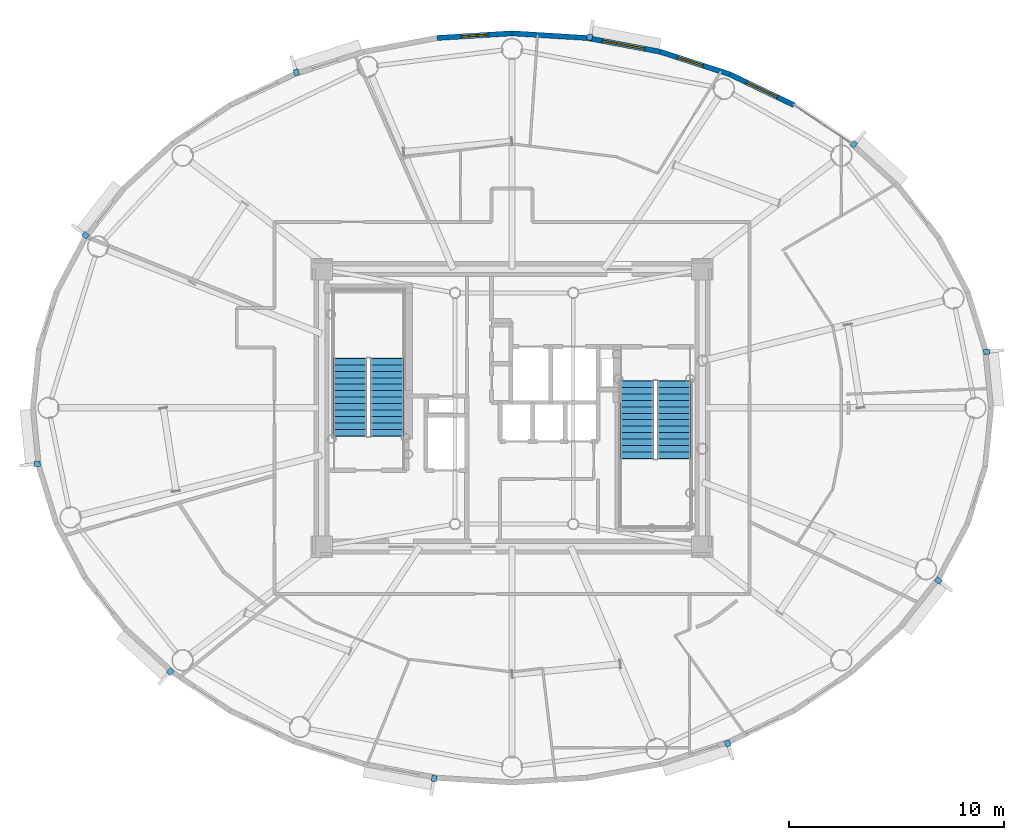
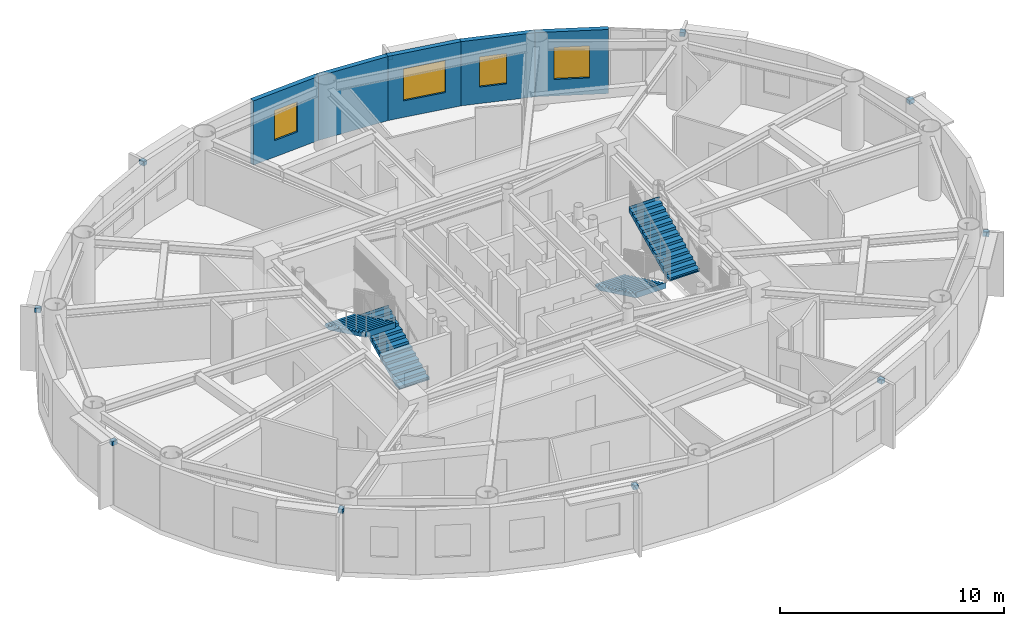
# One storey, part 10 of 16: 10 discrete accessories, 5 walls, 4 stair flights, 4 windows, 4 openings, 2 elements without a shape of their own.
"""IFC4 building model written with IfcOpenShell, lengths in metres."""

from ifc_helpers import new_model, si_unit, direction, frame, frame_2d, origin, origin_2d, place, context, subcontext, project, spatial, polyline, rectangle, outline, extrude, source, transform, mapped, material, layer, layer_set, type_object, element, fill, aggregate, save


model = new_model("IFC4")

# Units and contexts
model_context = context("Model", 3, precision=1e-05, world=origin(), true_north=direction((0.0, 1.0)))
body_context = subcontext(model_context, "Body", "Model", "MODEL_VIEW")
ifc_project = project(units=[si_unit("LENGTHUNIT", "METRE"), si_unit("AREAUNIT", "SQUARE_METRE"), si_unit("VOLUMEUNIT", "CUBIC_METRE"), si_unit("PLANEANGLEUNIT", "RADIAN"), si_unit("MASSUNIT", "GRAM", prefix="KILO")], contexts=[model_context])

# Site, building, storey
site_placement = place(None, origin())
site = spatial("IfcSite", under=ifc_project, at=site_placement, CompositionType="ELEMENT")
building_placement = place(site_placement, origin())
building = spatial("IfcBuilding", under=site, at=building_placement, Name="Linh Dai School and Residence Tower", CompositionType="ELEMENT")
storey_placement = place(building_placement, frame((0.0, 0.0, 306.75)))
storey = spatial("IfcBuildingStorey", under=building, at=storey_placement, Name="L76", CompositionType="ELEMENT", Elevation=306.75)

# Wall, opening, window
ifc_material_1 = material(Name="Precast Concrete B45 (C35/45)", Category="concrete")
ifc_layer = layer(ifc_material_1, 0.239990234375)
ifc_layer_set = layer_set([ifc_layer], Name="Precast Concrete B45 (C35/45)")
wall_type = type_object("IfcWallType", Name="EW-TC-240", PredefinedType="SOLIDWALL", material=ifc_layer_set)
wall_1_placement = place(storey_placement, frame((46.123046875, 42.51220703125, 0.0), z_axis=(0.0, 0.0, 1.0), x_axis=(0.901573741254, -0.43262546051, 0.0)))
wall_1 = element("IfcWall", 1, at=wall_1_placement, inside=storey, type_object=wall_type, Name="L76 Terracotta Exterior Wall 07", PredefinedType="SOLIDWALL", context=body_context, shape_type="SweptSolid", body=[
    extrude(rectangle(XDim=3.306884765625, YDim=0.239990234375, at=frame_2d((1.6533203125, 0.0))), origin(), (0.0, 0.0, 1.0), 3.5),
])
opening_1_placement = place(wall_1_placement, frame((0.853271484375, 0.0, 0.89990234375)))
opening_1 = element("IfcOpeningElement", 2, at=opening_1_placement, cuts=wall_1, Name="Opening W2", PredefinedType="OPENING", context=body_context, shape_type="SweptSolid", body=[
    extrude(rectangle(XDim=1.60009765625, YDim=1.75, at=origin_2d()), frame((0.800048828125, 0.1298828125, 0.875), z_axis=(0.0, -1.0, 0.0), x_axis=(1.0, 0.0, 0.0)), (0.0, 0.0, 1.0), 0.260009765625),
])
ifc_material_2 = material(Name="Double Low-E Insulated Glazing", Category="glass")
window_type_1 = type_object("IfcWindowType", Name="WN-RES-1600x1750", PartitioningType="DOUBLE_PANEL_VERTICAL", PredefinedType="WINDOW", material=ifc_material_2)
shared_shape_1 = source(origin(), body_context, "Body", "SweptSolid", [
    extrude(rectangle(XDim=1.60009765625, YDim=1.75, at=origin_2d()), frame((0.800048828125, 0.030029296875, 0.875), z_axis=(0.0, -1.0, 0.0), x_axis=(1.0, 0.0, 0.0)), (0.0, 0.0, 1.0), 0.06005859375),
])
window_1_placement = place(opening_1_placement, origin())
window_1 = element("IfcWindow", 3, at=window_1_placement, inside=storey, type_object=window_type_1, Name="L76 Exterior Window 07.1", OverallHeight=1.75, OverallWidth=1.60009765625, PartitioningType="DOUBLE_PANEL_VERTICAL", PredefinedType="WINDOW", context=body_context, shape_type="MappedRepresentation", body=[
    mapped(shared_shape_1, transform((0.0, 0.0, 0.0), x_axis=(1.0, 0.0, 0.0), y_axis=(0.0, 1.0, 0.0), z_axis=(0.0, 0.0, 1.0), scale=1.0)),
])
fill(opening_1, window_1)

wall_2_placement = place(storey_placement, frame((42.89111328125, 43.560302734375, 0.0), z_axis=(0.0, 0.0, 1.0), x_axis=(0.95123136723, -0.308478339592, 0.0)))
wall_2 = element("IfcWall", 4, at=wall_2_placement, inside=storey, type_object=wall_type, Name="L76 Terracotta Exterior Wall 08", PredefinedType="SOLIDWALL", context=body_context, shape_type="SweptSolid", body=[
    extrude(rectangle(XDim=3.397705078125, YDim=0.239990234375, at=frame_2d((1.69873046875, 0.0))), origin(), (0.0, 0.0, 1.0), 3.5),
])
opening_2_placement = place(wall_2_placement, frame((0.847900390625, 0.0, 0.89990234375)))
opening_2 = element("IfcOpeningElement", 5, at=opening_2_placement, cuts=wall_2, Name="Opening W3", PredefinedType="OPENING", context=body_context, shape_type="SweptSolid", body=[
    extrude(rectangle(XDim=1.25, YDim=1.64990234375, at=origin_2d()), frame((0.625, 0.1298828125, 0.824951171875), z_axis=(0.0, -1.0, 0.0), x_axis=(1.0, 0.0, 0.0)), (0.0, 0.0, 1.0), 0.260009765625),
])
window_type_2 = type_object("IfcWindowType", Name="WN-RES-1250x1650", PartitioningType="SINGLE_PANEL", PredefinedType="WINDOW", material=ifc_material_2)
shared_shape_2 = source(origin(), body_context, "Body", "SweptSolid", [
    extrude(rectangle(XDim=1.25, YDim=1.64990234375, at=origin_2d()), frame((0.625, 0.030029296875, 0.824951171875), z_axis=(0.0, -1.0, 0.0), x_axis=(1.0, 0.0, 0.0)), (0.0, 0.0, 1.0), 0.06005859375),
])
window_2_placement = place(opening_2_placement, origin())
window_2 = element("IfcWindow", 6, at=window_2_placement, inside=storey, type_object=window_type_2, Name="L76 Exterior Window 08.1", OverallHeight=1.64990234375, OverallWidth=1.25, PartitioningType="SINGLE_PANEL", PredefinedType="WINDOW", context=body_context, shape_type="MappedRepresentation", body=[
    mapped(shared_shape_2, transform((0.0, 0.0, 0.0), x_axis=(1.0, 0.0, 0.0), y_axis=(0.0, 1.0, 0.0), z_axis=(0.0, 0.0, 1.0), scale=1.0)),
])
fill(opening_2, window_2)

wall_3_placement = place(storey_placement, frame((39.48876953125, 44.199951171875, 0.0), z_axis=(0.0, 0.0, 1.0), x_axis=(0.982782655757, -0.184765395959, 0.0)))
wall_3 = element("IfcWall", 7, at=wall_3_placement, inside=storey, type_object=wall_type, Name="L76 Terracotta Exterior Wall 09", PredefinedType="SOLIDWALL", context=body_context, shape_type="SweptSolid", body=[
    extrude(rectangle(XDim=3.4619140625, YDim=0.239990234375, at=frame_2d((1.73095703125, 0.0))), origin(), (0.0, 0.0, 1.0), 3.5),
])
opening_3_placement = place(wall_3_placement, frame((0.73095703125, 0.0, 0.89990234375)))
opening_3 = element("IfcOpeningElement", 8, at=opening_3_placement, cuts=wall_3, Name="Opening W1", PredefinedType="OPENING", context=body_context, shape_type="SweptSolid", body=[
    extrude(rectangle(XDim=2.0, YDim=1.75, at=origin_2d()), frame((1.0, 0.1298828125, 0.875), z_axis=(0.0, -1.0, 0.0), x_axis=(1.0, 0.0, 0.0)), (0.0, 0.0, 1.0), 0.260009765625),
])
window_type_3 = type_object("IfcWindowType", Name="WN-RES-2000x1750", PartitioningType="DOUBLE_PANEL_VERTICAL", PredefinedType="WINDOW", material=ifc_material_2)
shared_shape_3 = source(origin(), body_context, "Body", "SweptSolid", [
    extrude(rectangle(XDim=2.0, YDim=1.75, at=origin_2d()), frame((1.0, 0.030029296875, 0.875), z_axis=(0.0, -1.0, 0.0), x_axis=(1.0, 0.0, 0.0)), (0.0, 0.0, 1.0), 0.06005859375),
])
window_3_placement = place(opening_3_placement, origin())
window_3 = element("IfcWindow", 9, at=window_3_placement, inside=storey, type_object=window_type_3, Name="L76 Exterior Window 09.1", OverallHeight=1.75, OverallWidth=2.0, PartitioningType="DOUBLE_PANEL_VERTICAL", PredefinedType="WINDOW", context=body_context, shape_type="MappedRepresentation", body=[
    mapped(shared_shape_3, transform((0.0, 0.0, 0.0), x_axis=(1.0, 0.0, 0.0), y_axis=(0.0, 1.0, 0.0), z_axis=(0.0, 0.0, 1.0), scale=1.0)),
])
fill(opening_3, window_3)

# Wall
wall_4_placement = place(storey_placement, frame((36.0, 44.4150390625, 0.0), z_axis=(0.0, 0.0, 1.0), x_axis=(0.998104946479, -0.061534671648, 0.0)))
element("IfcWall", 10, at=wall_4_placement, inside=storey, type_object=wall_type, Name="L76 Terracotta Exterior Wall 10", PredefinedType="SOLIDWALL", context=body_context, shape_type="SweptSolid", body=[
    extrude(rectangle(XDim=3.495361328125, YDim=0.239990234375, at=frame_2d((1.74755859375, 0.0))), origin(), (0.0, 0.0, 1.0), 3.5),
])

# Wall, opening, window
wall_5_placement = place(storey_placement, frame((32.51123046875, 44.199951171875, 0.0), z_axis=(0.0, 0.0, 1.0), x_axis=(0.998104946479, 0.061534671648, 0.0)))
wall_5 = element("IfcWall", 11, at=wall_5_placement, inside=storey, type_object=wall_type, Name="L76 Terracotta Exterior Wall 11", PredefinedType="SOLIDWALL", context=body_context, shape_type="SweptSolid", body=[
    extrude(rectangle(XDim=3.495361328125, YDim=0.239990234375, at=frame_2d((1.74755859375, 0.0))), origin(), (0.0, 0.0, 1.0), 3.5),
])
opening_4_placement = place(wall_5_placement, frame((1.122802734375, 0.0, 0.89990234375)))
opening_4 = element("IfcOpeningElement", 12, at=opening_4_placement, cuts=wall_5, Name="Opening W3", PredefinedType="OPENING", context=body_context, shape_type="SweptSolid", body=[
    extrude(rectangle(XDim=1.25, YDim=1.64990234375, at=origin_2d()), frame((0.625, 0.1298828125, 0.824951171875), z_axis=(0.0, -1.0, 0.0), x_axis=(1.0, 0.0, 0.0)), (0.0, 0.0, 1.0), 0.260009765625),
])
window_4_placement = place(opening_4_placement, origin())
window_4 = element("IfcWindow", 13, at=window_4_placement, inside=storey, type_object=window_type_2, Name="L76 Dwelling Window U7602-BD4", OverallHeight=1.64990234375, OverallWidth=1.25, PartitioningType="SINGLE_PANEL", PredefinedType="WINDOW", context=body_context, shape_type="MappedRepresentation", body=[
    mapped(shared_shape_2, transform((0.0, 0.0, 0.0), x_axis=(1.0, 0.0, 0.0), y_axis=(0.0, 1.0, 0.0), z_axis=(0.0, 0.0, 1.0), scale=1.0)),
])
fill(opening_4, window_4)

# Stair, stair flights
ifc_material_3 = material(Name="Concrete B45 (C35/45)", Category="concrete")
stair_type = type_object("IfcStairType", Name="ST-DOG-1550-R1442", PredefinedType="HALF_TURN_STAIR", material=ifc_material_3)
stair_1_placement = place(storey_placement, origin())
stair_1 = element("IfcStair", 14, at=stair_1_placement, inside=storey, type_object=stair_type, Name="L76 Core Smokeproof Exit Stair ST1", PredefinedType="HALF_TURN_STAIR")
stair_flight_type = type_object("IfcStairFlightType", Name="STF-STR-1550-R1442", PredefinedType="STRAIGHT", material=ifc_material_3)
shared_shape_4 = source(origin(), body_context, "Body", "SweptSolid", [
    extrude(outline(polyline([(-0.02490234375, 0.0), (-0.02490234375, 0.06005859375), (0.0, 0.06005859375), (0.0, 0.144287109375), (0.300048828125, 0.144287109375), (0.300048828125, 0.28857421875), (0.60009765625, 0.28857421875), (0.60009765625, 0.4326171875), (0.89990234375, 0.4326171875), (0.89990234375, 0.576904296875), (1.199951171875, 0.576904296875), (1.199951171875, 0.72119140625), (1.5, 0.72119140625), (1.5, 0.865478515625), (1.800048828125, 0.865478515625), (1.800048828125, 1.009521484375), (2.10009765625, 1.009521484375), (2.10009765625, 1.15380859375), (2.39990234375, 1.15380859375), (2.39990234375, 1.298095703125), (2.699951171875, 1.298095703125), (2.699951171875, 1.4423828125), (3.0, 1.4423828125), (3.0, 1.58642578125), (3.300048828125, 1.58642578125), (3.300048828125, 1.730712890625), (3.60009765625, 1.730712890625), (3.60009765625, 1.875), (3.625, 1.875), (3.625, 1.564453125), (3.60009765625, 1.564453125), (0.345947265625, 0.0), (-0.02490234375, 0.0)])), frame((0.0, 0.77490234375, 0.0), z_axis=(0.0, -1.0, 0.0), x_axis=(1.0, 0.0, 0.0)), (0.0, 0.0, 1.0), 1.550048828125),
])
stair_flight_1_placement = place(storey_placement, frame((30.205078125, 25.699951171875, 0.0), z_axis=(0.0, 0.0, 1.0), x_axis=(0.0, 1.0, 0.0)))
stair_flight_1 = element("IfcStairFlight", 15, at=stair_flight_1_placement, type_object=stair_flight_type, Name="ST1 flight 1", NumberOfRisers=13, NumberOfTreads=12, PredefinedType="STRAIGHT", RiserHeight=0.144230769, TreadLength=0.3, context=body_context, shape_type="MappedRepresentation", body=[
    mapped(shared_shape_4, transform((0.0, 0.0, 0.0), x_axis=(1.0, 0.0, 0.0), y_axis=(0.0, 1.0, 0.0), z_axis=(0.0, 0.0, 1.0), scale=1.0)),
])
stair_flight_2_placement = place(storey_placement, frame((28.455078125, 29.300048828125, 1.875), z_axis=(0.0, 0.0, 1.0), x_axis=(0.0, -1.0, 0.0)))
stair_flight_2 = element("IfcStairFlight", 16, at=stair_flight_2_placement, type_object=stair_flight_type, Name="ST1 flight 2", NumberOfRisers=13, NumberOfTreads=12, PredefinedType="STRAIGHT", RiserHeight=0.144230769, TreadLength=0.3, context=body_context, shape_type="MappedRepresentation", body=[
    mapped(shared_shape_4, transform((0.0, 0.0, 0.0), x_axis=(1.0, 0.0, 0.0), y_axis=(0.0, 1.0, 0.0), z_axis=(0.0, 0.0, 1.0), scale=1.0)),
])
aggregate(stair_1, [stair_flight_1, stair_flight_2])

stair_2_placement = place(storey_placement, origin())
stair_2 = element("IfcStair", 17, at=stair_2_placement, inside=storey, type_object=stair_type, Name="L76 Core Smokeproof Exit Stair ST2", PredefinedType="HALF_TURN_STAIR")
stair_flight_3_placement = place(storey_placement, frame((41.794921875, 28.25, 0.0), z_axis=(0.0, 0.0, 1.0), x_axis=(0.0, -1.0, 0.0)))
stair_flight_3 = element("IfcStairFlight", 18, at=stair_flight_3_placement, type_object=stair_flight_type, Name="ST2 flight 1", NumberOfRisers=13, NumberOfTreads=12, PredefinedType="STRAIGHT", RiserHeight=0.144230769, TreadLength=0.3, context=body_context, shape_type="MappedRepresentation", body=[
    mapped(shared_shape_4, transform((0.0, 0.0, 0.0), x_axis=(1.0, 0.0, 0.0), y_axis=(0.0, 1.0, 0.0), z_axis=(0.0, 0.0, 1.0), scale=1.0)),
])
stair_flight_4_placement = place(storey_placement, frame((43.544921875, 24.64990234375, 1.875), z_axis=(0.0, 0.0, 1.0), x_axis=(0.0, 1.0, 0.0)))
stair_flight_4 = element("IfcStairFlight", 19, at=stair_flight_4_placement, type_object=stair_flight_type, Name="ST2 flight 2", NumberOfRisers=13, NumberOfTreads=12, PredefinedType="STRAIGHT", RiserHeight=0.144230769, TreadLength=0.3, context=body_context, shape_type="MappedRepresentation", body=[
    mapped(shared_shape_4, transform((0.0, 0.0, 0.0), x_axis=(1.0, 0.0, 0.0), y_axis=(0.0, 1.0, 0.0), z_axis=(0.0, 0.0, 1.0), scale=1.0)),
])
aggregate(stair_2, [stair_flight_3, stair_flight_4])

# Discrete accessories
ifc_material_4 = material(Name="Structural Steel S355JR", Category="steel")
discrete_accessory_type = type_object("IfcDiscreteAccessoryType", Name="ACC-BRK-S355", PredefinedType="BRACKET", material=ifc_material_4)
shared_shape_5 = source(origin(), body_context, "Body", "SweptSolid", [
    extrude(rectangle(XDim=0.280029296875, YDim=0.239990234375, at=origin_2d()), origin(), (0.0, 0.0, 1.0), 0.219970703125),
])
for number, where, z_axis, x_axis, name in (
    (20, (58.073486328125, 29.605712890625, 3.25), (0.0, 0.0, 1.0), (0.994986629598, 0.100008034283, 0.0), "L76 Facade Frame Anchor Bracket 01"),
    (21, (51.89111328125, 39.267333984375, 3.25), (0.0, 0.0, 1.0), (0.67577730889, 0.737105846394, 0.0), "L76 Facade Frame Anchor Bracket 05"),
    (22, (39.61767578125, 44.23681640625, 3.25), (0.0, 0.0, 1.0), (0.184751197452, 0.982785325002, 0.0), "L76 Facade Frame Anchor Bracket 09"),
    (23, (25.97265625, 42.606201171875, 3.25), (0.0, 0.0, 1.0), (-0.308518805176, 0.951218243545, 0.0), "L76 Facade Frame Anchor Bracket 13"),
    (24, (16.1728515625, 35.0263671875, 3.25), (0.0, 0.0, 1.0), (-0.78750300393, 0.616310813471, 0.0), "L76 Facade Frame Anchor Bracket 17"),
    (25, (13.926513671875, 24.394287109375, 3.25), (0.0, 0.0, 1.0), (-0.994986629598, -0.100008034283, 0.0), "L76 Facade Frame Anchor Bracket 21"),
    (26, (20.10888671875, 14.732666015625, 3.25), (0.0, 0.0, 1.0), (-0.675779074535, -0.737104227651, 0.0), "L76 Facade Frame Anchor Bracket 25"),
    (27, (32.38232421875, 9.76318359375, 3.25), (0.0, 0.0, 1.0), (-0.184751197452, -0.982785325002, 0.0), "L76 Facade Frame Anchor Bracket 29"),
    (28, (46.02734375, 11.393798828125, 3.25), (0.0, 0.0, 1.0), (0.308518805176, -0.951218243545, 0.0), "L76 Facade Frame Anchor Bracket 33"),
    (29, (55.8271484375, 18.9736328125, 3.25), (0.0, 0.0, 1.0), (0.78750300393, -0.616310813471, 0.0), "L76 Facade Frame Anchor Bracket 37"),
):
    element("IfcDiscreteAccessory", number, at=place(storey_placement, frame(where, z_axis=z_axis, x_axis=x_axis)), inside=storey, type_object=discrete_accessory_type, Name=name, PredefinedType="BRACKET", context=body_context, shape_type="MappedRepresentation", body=[
        mapped(shared_shape_5, transform((0.0, 0.0, 0.0), x_axis=(1.0, 0.0, 0.0), y_axis=(0.0, 1.0, 0.0), z_axis=(0.0, 0.0, 1.0), scale=1.0)),
    ])

save(model, "model.ifc")
